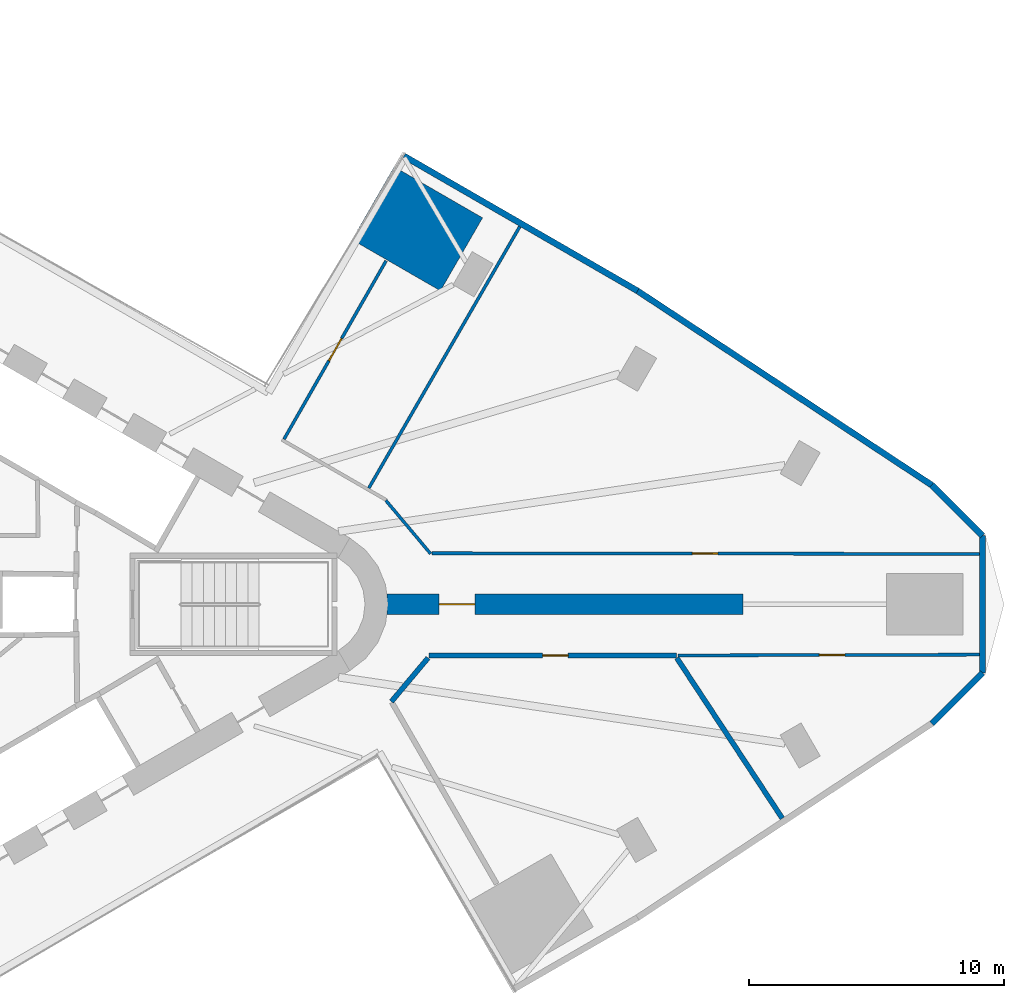
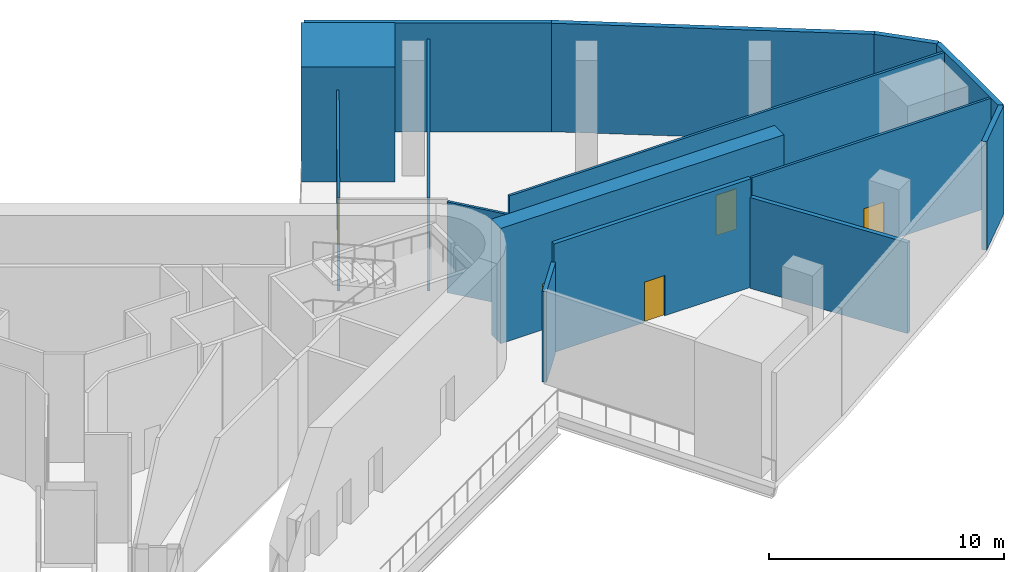
# One storey, part 7 of 11: 15 walls, 5 doors, 5 openings.
"""IFC4 building model written with IfcOpenShell, lengths in metres."""

from ifc_helpers import new_model, si_unit, direction, frame, frame_2d, origin, place, context, subcontext, project, spatial, polyline, rectangle, outline, extrude, material, layer, layer_set, type_object, element, fill, save


model = new_model("IFC4")

# Units and contexts
model_context = context("Model", 3, precision=1e-05, world=origin(), true_north=direction((0.0, 1.0)))
body_context = subcontext(model_context, "Body", "Model", "MODEL_VIEW")
ifc_project = project(units=[si_unit("LENGTHUNIT", "METRE"), si_unit("AREAUNIT", "SQUARE_METRE"), si_unit("VOLUMEUNIT", "CUBIC_METRE"), si_unit("PLANEANGLEUNIT", "RADIAN"), si_unit("MASSUNIT", "GRAM", prefix="KILO")], contexts=[model_context])

# Site, building, storey
site_placement = place(None, origin())
site = spatial("IfcSite", under=ifc_project, at=site_placement, CompositionType="ELEMENT")
building_placement = place(site_placement, origin())
building = spatial("IfcBuilding", under=site, at=building_placement, Name="Tanit Gate Tower", CompositionType="ELEMENT")
storey_placement = place(building_placement, frame((0.0, 0.0, 33.5)))
storey = spatial("IfcBuildingStorey", under=building, at=storey_placement, Name="L05", CompositionType="ELEMENT", Elevation=33.5)

# Wall, opening, door
ifc_material_1 = material(Name="Concrete C60/75", Category="concrete")
ifc_layer_1 = layer(ifc_material_1, 0.800048828125)
ifc_layer_set_1 = layer_set([ifc_layer_1], Name="BUTTRESS FIN 800 C60/75")
wall_type_1 = type_object("IfcWallType", Name="BUTTRESS FIN 800 C60/75", PredefinedType="SHEAR", material=ifc_layer_set_1)
wall_1_placement = place(storey_placement, frame((21.14990234375, 0.0, 0.0), z_axis=(0.0, 0.0, 1.0), x_axis=(1.0, 0.0, 0.0)))
wall_1 = element("IfcWall", 1, at=wall_1_placement, inside=storey, type_object=wall_type_1, Name="BUTTRESS FIN", PredefinedType="SHEAR", context=body_context, shape_type="SweptSolid", body=[
    extrude(rectangle(XDim=13.9541015625, YDim=0.800048828125, at=frame_2d((6.97705078125, 0.0))), origin(), (0.0, 0.0, 1.0), 6.0),
])
opening_1_placement = place(wall_1_placement, frame((2.050048828125, 0.0, 0.0)))
opening_1 = element("IfcOpeningElement", 2, at=opening_1_placement, cuts=wall_1, Name="Opening P14-05-F-E-1", PredefinedType="OPENING", context=body_context, shape_type="SweptSolid", body=[
    extrude(rectangle(XDim=1.39990234375, YDim=2.39990234375, at=frame_2d((0.699951171875, 1.199951171875))), frame((0.0, 0.41015625, 0.0), z_axis=(0.0, -1.0, 0.0), x_axis=(1.0, 0.0, 0.0)), (0.0, 0.0, 1.0), 0.820068359375),
])
ifc_material_2 = material(Name="Timber door leaf", Category="wood")
door_type_1 = type_object("IfcDoorType", Name="INT-DOOR-FIN-PAIR-1400", OperationType="NOTDEFINED", PredefinedType="NOTDEFINED", material=ifc_material_2)
door_1_placement = place(opening_1_placement, origin())
door_1 = element("IfcDoor", 3, at=door_1_placement, inside=storey, type_object=door_type_1, Name="Door P14-05-F-E-1", OperationType="DOUBLE_DOOR_SINGLE_SWING", OverallHeight=2.39990234375, OverallWidth=1.39990234375, PredefinedType="NOTDEFINED", context=body_context, shape_type="SweptSolid", body=[
    extrude(rectangle(XDim=1.39990234375, YDim=2.39990234375, at=frame_2d((0.699951171875, 1.199951171875))), frame((0.0, 0.02490234375, 0.0), z_axis=(0.0, -1.0, 0.0), x_axis=(1.0, 0.0, 0.0)), (0.0, 0.0, 1.0), 0.050048828125),
])
fill(opening_1, door_1)

# Walls
ifc_material_3 = material(Name="Concrete C30/37 with bronze anodised aluminium cladding", Category="concrete")
ifc_layer_2 = layer(ifc_material_3, 0.239990234375)
ifc_layer_set_2 = layer_set([ifc_layer_2], Name="Facade wall bronze clad 240")
wall_type_2 = type_object("IfcWallType", Name="Facade wall bronze clad 240", PredefinedType="SOLIDWALL", material=ifc_layer_set_2)
wall_2_placement = place(storey_placement, frame((42.4873046875, 4.665771484375, 0.0), z_axis=(0.0, 0.0, 1.0), x_axis=(-0.834569880428, 0.550902091739, 0.0)))
element("IfcWall", 4, at=wall_2_placement, inside=storey, type_object=wall_type_2, Name="Bronze-clad facade wall L05 NE1", PredefinedType="SOLIDWALL", context=body_context, shape_type="SweptSolid", body=[
    extrude(rectangle(XDim=13.801513671875, YDim=0.239990234375, at=frame_2d((6.90087890625, 0.0))), origin(), (0.0, 0.0, 1.0), 5.64990234375),
])
wall_3_placement = place(storey_placement, frame((30.968994140625, 12.26904296875, 0.0), z_axis=(0.0, 0.0, 1.0), x_axis=(-0.86605207128, 0.499953807697, 0.0)))
element("IfcWall", 5, at=wall_3_placement, inside=storey, type_object=wall_type_2, Name="Bronze-clad facade wall L05 NE2a", PredefinedType="SOLIDWALL", context=body_context, shape_type="SweptSolid", body=[
    extrude(rectangle(XDim=10.56591796875, YDim=0.239990234375, at=frame_2d((5.282958984375, 0.0))), origin(), (0.0, 0.0, 1.0), 5.64990234375),
])
wall_4_placement = place(storey_placement, frame((42.4873046875, -4.665771484375, 0.0), z_axis=(0.0, 0.0, 1.0), x_axis=(0.707106781187, 0.707106781187, 0.0)))
element("IfcWall", 6, at=wall_4_placement, inside=storey, type_object=wall_type_2, Name="Bronze-clad facade wall L05 E.arc1", PredefinedType="SOLIDWALL", context=body_context, shape_type="SweptSolid", body=[
    extrude(rectangle(XDim=2.800537109375, YDim=0.239990234375, at=frame_2d((1.400390625, 0.0))), origin(), (0.0, 0.0, 1.0), 5.64990234375),
])
wall_5_placement = place(storey_placement, frame((44.467529296875, -2.685546875, 0.0), z_axis=(0.0, 0.0, 1.0), x_axis=(0.0, 1.0, 0.0)))
element("IfcWall", 7, at=wall_5_placement, inside=storey, type_object=wall_type_2, Name="Bronze-clad facade wall L05 E.arc2", PredefinedType="SOLIDWALL", context=body_context, shape_type="SweptSolid", body=[
    extrude(rectangle(XDim=5.37109375, YDim=0.239990234375, at=frame_2d((2.685546875, 0.0))), origin(), (0.0, 0.0, 1.0), 5.64990234375),
])
wall_6_placement = place(storey_placement, frame((44.467529296875, 2.685546875, 0.0), z_axis=(0.0, 0.0, 1.0), x_axis=(-0.707106781187, 0.707106781187, 0.0)))
element("IfcWall", 8, at=wall_6_placement, inside=storey, type_object=wall_type_2, Name="Bronze-clad facade wall L05 E.arc3", PredefinedType="SOLIDWALL", context=body_context, shape_type="SweptSolid", body=[
    extrude(rectangle(XDim=2.800537109375, YDim=0.239990234375, at=frame_2d((1.400390625, 0.0))), origin(), (0.0, 0.0, 1.0), 5.64990234375),
])

# Wall, opening, door
ifc_material_4 = material(Name="Fire-rated gypsum board partition")
ifc_layer_3 = layer(ifc_material_4, 0.199951171875)
ifc_layer_set_3 = layer_set([ifc_layer_3], Name="INT-WALL-COMPARTMENT")
wall_type_3 = type_object("IfcWallType", Name="INT-WALL-COMPARTMENT", PredefinedType="PARTITIONING", material=ifc_layer_set_3)
wall_7_placement = place(storey_placement, frame((32.496826171875, -2.0, 0.0), z_axis=(0.0, 0.0, 1.0), x_axis=(-1.0, 0.0, 0.0)))
wall_7 = element("IfcWall", 9, at=wall_7_placement, inside=storey, type_object=wall_type_3, Name="Wall Compartment W118", PredefinedType="PARTITIONING", context=body_context, shape_type="SweptSolid", body=[
    extrude(rectangle(XDim=9.69482421875, YDim=0.199951171875, at=frame_2d((4.847412109375, 0.0))), origin(), (0.0, 0.0, 1.0), 5.64990234375),
])
opening_2_placement = place(wall_7_placement, frame((4.248779296875, 0.0, 0.0)))
opening_2 = element("IfcOpeningElement", 10, at=opening_2_placement, cuts=wall_7, Name="Opening F10-05-23", PredefinedType="OPENING", context=body_context, shape_type="SweptSolid", body=[
    extrude(rectangle(XDim=1.0, YDim=2.10009765625, at=frame_2d((0.5, 1.050048828125))), frame((0.0, 0.10986328125, 0.0), z_axis=(0.0, -1.0, 0.0), x_axis=(1.0, 0.0, 0.0)), (0.0, 0.0, 1.0), 0.219970703125),
])
ifc_material_5 = material(Name="Fire-rated steel door leaf", Category="steel")
door_type_2 = type_object("IfcDoorType", Name="INT-DOOR-FIRE-1000", OperationType="NOTDEFINED", PredefinedType="USERDEFINED", material=ifc_material_5)
door_2_placement = place(opening_2_placement, origin())
door_2 = element("IfcDoor", 11, at=door_2_placement, inside=storey, type_object=door_type_2, Name="Door F10-05-23", ObjectType="FIRE DOOR", OperationType="SINGLE_SWING_LEFT", OverallHeight=2.10009765625, OverallWidth=1.0, PredefinedType="USERDEFINED", context=body_context, shape_type="SweptSolid", body=[
    extrude(rectangle(XDim=1.0, YDim=2.10009765625, at=frame_2d((0.5, 1.050048828125))), frame((0.0, 0.02490234375, 0.0), z_axis=(0.0, -1.0, 0.0), x_axis=(1.0, 0.0, 0.0)), (0.0, 0.0, 1.0), 0.050048828125),
])
fill(opening_2, door_2)

# Walls
wall_8_placement = place(storey_placement, frame((21.33154296875, -3.807373046875, 0.0), z_axis=(0.0, 0.0, 1.0), x_axis=(0.642927476008, 0.765927059578, 0.0)))
element("IfcWall", 12, at=wall_8_placement, inside=storey, type_object=wall_type_3, Name="Wall Compartment W119", PredefinedType="PARTITIONING", context=body_context, shape_type="SweptSolid", body=[
    extrude(rectangle(XDim=2.22900390625, YDim=0.199951171875, at=frame_2d((1.114501953125, 0.0))), origin(), (0.0, 0.0, 1.0), 4.72998046875),
])
wall_9_placement = place(storey_placement, frame((36.633544921875, -8.37841796875, 0.0), z_axis=(0.0, 0.0, 1.0), x_axis=(-0.549584280898, 0.835438279102, 0.0)))
element("IfcWall", 13, at=wall_9_placement, inside=storey, type_object=wall_type_3, Name="Wall Compartment W123", PredefinedType="PARTITIONING", context=body_context, shape_type="SweptSolid", body=[
    extrude(rectangle(XDim=7.514892578125, YDim=0.199951171875, at=frame_2d((3.75732421875, 0.0))), origin(), (0.0, 0.0, 1.0), 4.72998046875),
])
ifc_material_6 = material(Name="Gypsum board partition")
ifc_layer_4 = layer(ifc_material_6, 0.1201171875)
ifc_layer_set_4 = layer_set([ifc_layer_4], Name="INT-WALL-PARTITION")
wall_type_4 = type_object("IfcWallType", Name="INT-WALL-PARTITION", PredefinedType="PARTITIONING", material=ifc_layer_set_4)
wall_10_placement = place(storey_placement, frame((22.86669921875, 1.978515625, 0.0), z_axis=(0.0, 0.0, 1.0), x_axis=(-0.64290031389, 0.765949858934, 0.0)))
element("IfcWall", 14, at=wall_10_placement, inside=storey, type_object=wall_type_4, Name="Wall Partition W103", PredefinedType="PARTITIONING", context=body_context, shape_type="SweptSolid", body=[
    extrude(rectangle(XDim=2.72802734375, YDim=0.1201171875, at=frame_2d((1.364013671875, 0.0))), origin(), (0.0, 0.0, 1.0), 4.72998046875),
])

# Wall, opening, door
wall_11_placement = place(storey_placement, frame((22.92724609375, 2.0, 0.0), z_axis=(0.0, 0.0, 1.0), x_axis=(0.999999095585, -0.001344927377, 0.0)))
wall_11 = element("IfcWall", 15, at=wall_11_placement, inside=storey, type_object=wall_type_4, Name="Wall Partition W104", PredefinedType="PARTITIONING", context=body_context, shape_type="SweptSolid", body=[
    extrude(rectangle(XDim=21.420166015625, YDim=0.1201171875, at=frame_2d((10.7099609375, 0.0))), origin(), (0.0, 0.0, 1.0), 5.64990234375),
])
opening_3_placement = place(wall_11_placement, frame((10.186279296875, 0.0, 0.0)))
opening_3 = element("IfcOpeningElement", 16, at=opening_3_placement, cuts=wall_11, Name="Opening D10-05-18", PredefinedType="OPENING", context=body_context, shape_type="SweptSolid", body=[
    extrude(rectangle(XDim=1.0, YDim=2.10009765625, at=frame_2d((0.5, 1.050048828125))), frame((0.0, 0.070068359375, 0.0), z_axis=(0.0, -1.0, 0.0), x_axis=(1.0, 0.0, 0.0)), (0.0, 0.0, 1.0), 0.14013671875),
])
ifc_material_7 = material(Name="Timber door leaf", Category="wood")
door_type_3 = type_object("IfcDoorType", Name="INT-DOOR-SINGLE-1000", OperationType="NOTDEFINED", PredefinedType="NOTDEFINED", material=ifc_material_7)
door_3_placement = place(opening_3_placement, origin())
door_3 = element("IfcDoor", 17, at=door_3_placement, inside=storey, type_object=door_type_3, Name="Door D10-05-18", OperationType="SINGLE_SWING_LEFT", OverallHeight=2.10009765625, OverallWidth=1.0, PredefinedType="NOTDEFINED", context=body_context, shape_type="SweptSolid", body=[
    extrude(rectangle(XDim=1.0, YDim=2.10009765625, at=frame_2d((0.5, 1.050048828125))), frame((0.0, 0.02490234375, 0.0), z_axis=(0.0, -1.0, 0.0), x_axis=(1.0, 0.0, 0.0)), (0.0, 0.0, 1.0), 0.050048828125),
])
fill(opening_3, door_3)

wall_12_placement = place(storey_placement, frame((17.12646484375, 6.4638671875, 0.0), z_axis=(0.0, 0.0, 1.0), x_axis=(0.496766503813, 0.867884232309, 0.0)))
wall_12 = element("IfcWall", 18, at=wall_12_placement, inside=storey, type_object=wall_type_4, Name="Wall Partition W105", PredefinedType="PARTITIONING", context=body_context, shape_type="SweptSolid", body=[
    extrude(rectangle(XDim=8.042236328125, YDim=0.1201171875, at=frame_2d((4.02099609375, 0.0))), origin(), (0.0, 0.0, 1.0), 4.830078125),
])
opening_4_placement = place(wall_12_placement, frame((3.538818359375, 0.0, 0.0)))
opening_4 = element("IfcOpeningElement", 19, at=opening_4_placement, cuts=wall_12, Name="Opening D10-05-19", PredefinedType="OPENING", context=body_context, shape_type="SweptSolid", body=[
    extrude(rectangle(XDim=1.0, YDim=2.10009765625, at=frame_2d((0.5, 1.050048828125))), frame((0.0, 0.070068359375, 0.0), z_axis=(0.0, -1.0, 0.0), x_axis=(1.0, 0.0, 0.0)), (0.0, 0.0, 1.0), 0.14013671875),
])
door_4_placement = place(opening_4_placement, origin())
door_4 = element("IfcDoor", 20, at=door_4_placement, inside=storey, type_object=door_type_3, Name="Door D10-05-19", OperationType="SINGLE_SWING_LEFT", OverallHeight=2.10009765625, OverallWidth=1.0, PredefinedType="NOTDEFINED", context=body_context, shape_type="SweptSolid", body=[
    extrude(rectangle(XDim=1.0, YDim=2.10009765625, at=frame_2d((0.5, 1.050048828125))), frame((0.0, 0.02490234375, 0.0), z_axis=(0.0, -1.0, 0.0), x_axis=(1.0, 0.0, 0.0)), (0.0, 0.0, 1.0), 0.050048828125),
])
fill(opening_4, door_4)

# Wall
wall_13_placement = place(storey_placement, frame((26.357177734375, 14.787109375, 0.0), z_axis=(0.0, 0.0, 1.0), x_axis=(-0.499945268197, -0.8660570009, 0.0)))
element("IfcWall", 21, at=wall_13_placement, inside=storey, type_object=wall_type_4, Name="Wall Partition W112", PredefinedType="PARTITIONING", context=body_context, shape_type="SweptSolid", body=[
    extrude(rectangle(XDim=11.824462890625, YDim=0.1201171875, at=frame_2d((5.912109375, 0.0))), origin(), (0.0, 0.0, 1.0), 4.830078125),
])

# Wall, opening, door
wall_14_placement = place(storey_placement, frame((44.347412109375, -1.971435546875, 0.0), z_axis=(0.0, 0.0, 1.0), x_axis=(-0.9999971152, -0.002401997502, 0.0)))
wall_14 = element("IfcWall", 22, at=wall_14_placement, inside=storey, type_object=wall_type_4, Name="Wall Partition W121", PredefinedType="PARTITIONING", context=body_context, shape_type="SweptSolid", body=[
    extrude(rectangle(XDim=11.790283203125, YDim=0.1201171875, at=frame_2d((5.89501953125, 0.0))), origin(), (0.0, 0.0, 1.0), 5.64990234375),
])
opening_5_placement = place(wall_14_placement, frame((5.266845703125, 0.0, 0.0)))
opening_5 = element("IfcOpeningElement", 23, at=opening_5_placement, cuts=wall_14, Name="Opening D10-05-24", PredefinedType="OPENING", context=body_context, shape_type="SweptSolid", body=[
    extrude(rectangle(XDim=1.0, YDim=2.10009765625, at=frame_2d((0.5, 1.050048828125))), frame((0.0, 0.070068359375, 0.0), z_axis=(0.0, -1.0, 0.0), x_axis=(1.0, 0.0, 0.0)), (0.0, 0.0, 1.0), 0.14013671875),
])
door_5_placement = place(opening_5_placement, origin())
door_5 = element("IfcDoor", 24, at=door_5_placement, inside=storey, type_object=door_type_3, Name="Door D10-05-24", OperationType="SINGLE_SWING_RIGHT", OverallHeight=2.10009765625, OverallWidth=1.0, PredefinedType="NOTDEFINED", context=body_context, shape_type="SweptSolid", body=[
    extrude(rectangle(XDim=1.0, YDim=2.10009765625, at=frame_2d((0.5, 1.050048828125))), frame((0.0, 0.02490234375, 0.0), z_axis=(0.0, -1.0, 0.0), x_axis=(1.0, 0.0, 0.0)), (0.0, 0.0, 1.0), 0.050048828125),
])
fill(opening_5, door_5)

# Wall
ifc_material_8 = material(Name="Concrete C60/75", Category="concrete")
ifc_layer_5 = layer(ifc_material_8, 4.0)
ifc_layer_set_5 = layer_set([ifc_layer_5], Name="PIER WALL 4000 C60/75")
wall_type_5 = type_object("IfcWallType", Name="PIER WALL 4000 C60/75", PredefinedType="SHEAR", material=ifc_layer_set_5)
wall_15_placement = place(storey_placement, origin())
element("IfcWall", 25, at=wall_15_placement, inside=storey, type_object=wall_type_5, Name="PIER WALL", PredefinedType="SHEAR", context=body_context, shape_type="SweptSolid", body=[
    extrude(outline(polyline([(24.901123046875, 15.1298828125), (21.43701171875, 17.1298828125), (19.787109375, 14.27197265625), (23.251220703125, 12.27197265625), (24.901123046875, 15.1298828125)])), origin(), (0.0, 0.0, 1.0), 6.0),
])

save(model, "model.ifc")
